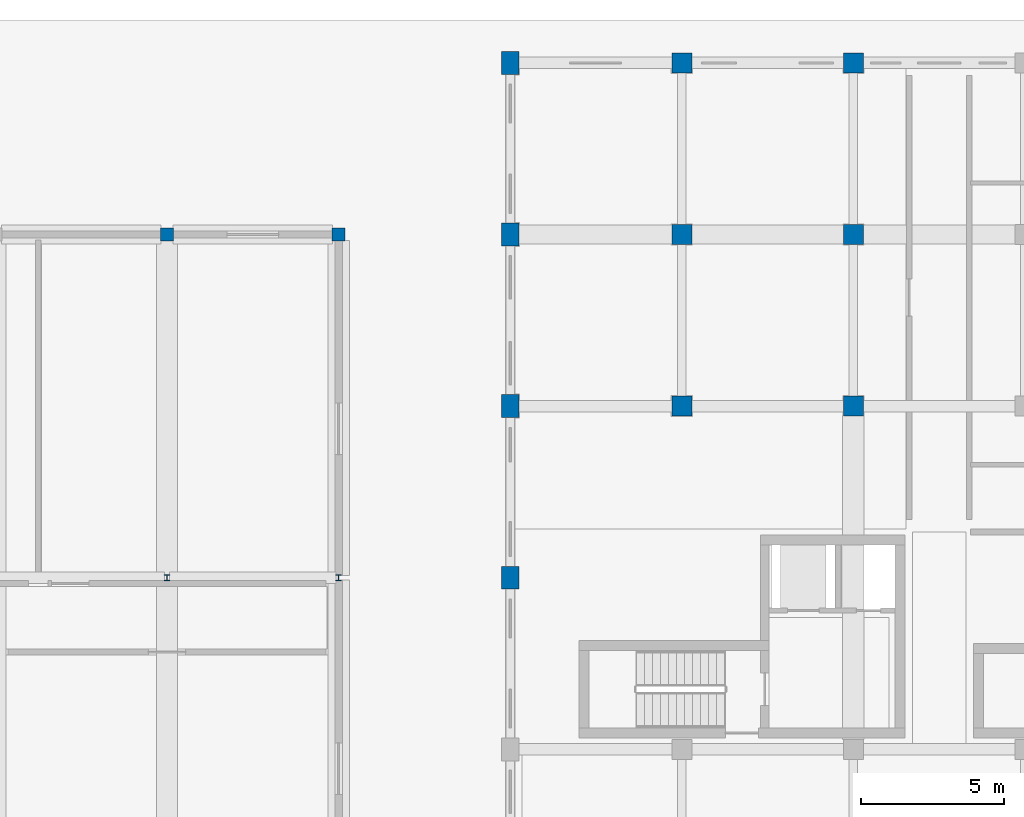
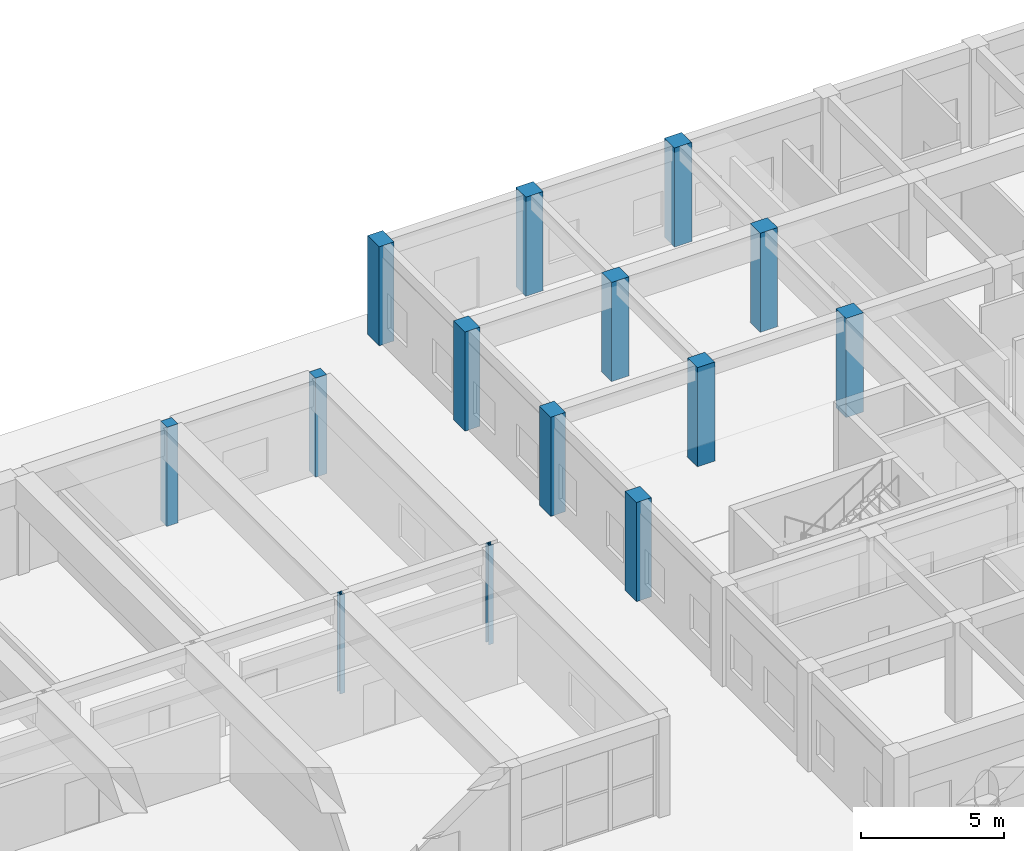
# One storey, part 7 of 76: 14 columns.
"""IFC4 building model written with IfcOpenShell, lengths in metres."""

import ifcopenshell
import ifcopenshell.guid

model = None  # the IFC model being written
_history = None  # IfcOwnerHistory: only IFC2X3 demands one
_inside = {}  # id of a spatial element -> (the spatial element, [elements in it])
_under = {}  # id of a project, library or spatial element -> (it, [spatial elements below it])
_declared = {}  # id of a project -> (the project, [libraries it declares])
_typed = {}  # id of a type object -> (the type object, [elements of that type])
_made_of = {}  # id of a material, layer set ... -> (it, [elements and type objects made of it])


def new_model(schema):
    """Start an empty IFC model of exactly this schema.

    Asked for "IFC4X3", IfcOpenShell would pick the latest addendum, in which some entities
    have other attributes; the version numbers below select the first issue.
    IFC2X3 requires an IfcOwnerHistory on every rooted entity: one is made here for all.
    """
    global model, _history
    if schema == "IFC4X3":
        model = ifcopenshell.file(schema_version=(4, 3, 0, 0))
    else:
        model = ifcopenshell.file(schema=schema)
    _inside.clear()
    _under.clear()
    _declared.clear()
    _typed.clear()
    _made_of.clear()
    _history = None
    if model.schema == "IFC2X3":
        org = make("IfcOrganization", Name="unknown")
        user = make(
            "IfcPersonAndOrganization",
            ThePerson=make("IfcPerson", FamilyName="unknown"),
            TheOrganization=org,
        )
        app = make(
            "IfcApplication",
            ApplicationDeveloper=org,
            Version="unknown",
            ApplicationFullName="unknown",
            ApplicationIdentifier="unknown",
        )
        _history = make(
            "IfcOwnerHistory",
            OwningUser=user,
            OwningApplication=app,
            ChangeAction="ADDED",
            CreationDate=0,
        )
    return model


def make(cls, **values):
    """One entity of the class cls with the attributes given. An attribute that is None is left unset."""
    return model.create_entity(
        cls, **{name: value for name, value in values.items() if value is not None}
    )


def rooted(cls, **values):
    """An entity with a GlobalId (a new one), such as an element, a storey or a relation."""
    return make(cls, GlobalId=ifcopenshell.guid.new(), OwnerHistory=_history, **values)


def si_unit(unit_type, name, prefix=None):
    """IfcSIUnit, for example si_unit("LENGTHUNIT", "METRE", prefix="MILLI")."""
    return make("IfcSIUnit", UnitType=unit_type, Prefix=prefix, Name=name)


def assignment(units):
    """IfcUnitAssignment: the units of a project."""
    return None if units is None else make("IfcUnitAssignment", Units=units)


def point(xyz):
    """IfcCartesianPoint."""
    return None if xyz is None else make("IfcCartesianPoint", Coordinates=xyz)


def direction(xyz):
    """IfcDirection."""
    return None if xyz is None else make("IfcDirection", DirectionRatios=xyz)


def frame(location, z_axis=None, x_axis=None):
    """IfcAxis2Placement3D, a coordinate frame: its origin and axes. An axis left out is left unset."""
    return make(
        "IfcAxis2Placement3D",
        Location=point(location),
        Axis=direction(z_axis),
        RefDirection=direction(x_axis),
    )


def frame_2d(location, x_axis=None):
    """IfcAxis2Placement2D, a coordinate frame in the plane: its origin and x axis."""
    return make(
        "IfcAxis2Placement2D", Location=point(location), RefDirection=direction(x_axis)
    )


def origin():
    """The frame at (0, 0, 0) with its axes left unset."""
    return frame((0.0, 0.0, 0.0))


def origin_2d():
    """The frame at (0, 0) in the plane with its x axis left unset."""
    return frame_2d((0.0, 0.0))


def place(relative_to, where):
    """IfcLocalPlacement: puts the frame where relative to a parent placement (None: the world)."""
    return make(
        "IfcLocalPlacement", PlacementRelTo=relative_to, RelativePlacement=where
    )


def context(
    kind, dimensions, precision=None, world=None, true_north=None, identifier=None
):
    """IfcGeometricRepresentationContext, for example the 3D "Model" context."""
    return make(
        "IfcGeometricRepresentationContext",
        ContextIdentifier=identifier,
        ContextType=kind,
        CoordinateSpaceDimension=dimensions,
        Precision=precision,
        WorldCoordinateSystem=world,
        TrueNorth=true_north,
    )


def subcontext(parent, identifier, kind, view, scale=None):
    """IfcGeometricRepresentationSubContext, for example "Body" below "Model"."""
    return make(
        "IfcGeometricRepresentationSubContext",
        ContextIdentifier=identifier,
        ContextType=kind,
        ParentContext=parent,
        TargetScale=scale,
        TargetView=view,
    )


def project(units=None, contexts=None):
    """IfcProject with its units and contexts."""
    return rooted(
        "IfcProject",
        Name="project",
        RepresentationContexts=contexts,
        UnitsInContext=assignment(units),
    )


def spatial(cls, under=None, at=None, **own):
    """A site, building, storey or space (cls), placed at a placement, below another one or the project."""
    s = rooted(cls, ObjectPlacement=at, **own)
    if under is not None:
        _under.setdefault(under.id(), (under, []))[1].append(s)
    return s


def profile(cls, at=None, kind="AREA", **sizes):
    """A parametric profile (cls). Its sizes go by their IFC names, for example OverallWidth=200.0."""
    return make(cls, ProfileType=kind, Position=at, **sizes)


def rectangle(**sizes):
    """IfcRectangleProfileDef."""
    return profile("IfcRectangleProfileDef", **sizes)


def i_section(**sizes):
    """IfcIShapeProfileDef."""
    return profile("IfcIShapeProfileDef", **sizes)


def extrude(swept, where, along, depth):
    """IfcExtrudedAreaSolid: the profile swept, set in the frame where, extruded along a direction by depth."""
    return make(
        "IfcExtrudedAreaSolid",
        SweptArea=swept,
        Position=where,
        ExtrudedDirection=direction(along),
        Depth=depth,
    )


def shape(context_of_items, identifier, shape_type, items):
    """IfcShapeRepresentation: the items that make up one representation, for example the "Body"."""
    return make(
        "IfcShapeRepresentation",
        ContextOfItems=context_of_items,
        RepresentationIdentifier=identifier,
        RepresentationType=shape_type,
        Items=items,
    )


def material(Name=None, Category=None):
    """IfcMaterial."""
    return make("IfcMaterial", Name=Name, Category=Category)


def material_profile(
    of_material, cross_section, Name=None, Category=None, Priority=None
):
    """IfcMaterialProfile: a cross section and its material."""
    return make(
        "IfcMaterialProfile",
        Name=Name,
        Material=of_material,
        Profile=cross_section,
        Priority=Priority,
        Category=Category,
    )


def profile_set(profiles, Name=None, composite=None):
    """IfcMaterialProfileSet."""
    return make(
        "IfcMaterialProfileSet",
        Name=Name,
        MaterialProfiles=profiles,
        CompositeProfile=composite,
    )


def made_of(thing, what):
    """Note that an element or type object is made of a material, layer set ...; save() writes the relation."""
    if what is not None:
        _made_of.setdefault(what.id(), (what, []))[1].append(thing)
    return thing


def type_object(cls, material=None, **own):
    """A type object (cls), such as IfcWallType, which elements share."""
    return made_of(rooted(cls, **own), material)


def element(
    cls,
    number,
    at=None,
    inside=None,
    cuts=None,
    type_object=None,
    material=None,
    context=None,
    identifier="Body",
    shape_type=None,
    held_by="IfcProductDefinitionShape",
    body=None,
    shapes=None,
    **own,
):
    """One element of the class cls, such as IfcWall. Its Tag is "e" and its number.

    at: its placement. inside: the storey or other place that contains it. cuts: it is an
    opening in that element (IfcRelVoidsElement). A single representation is given by context,
    identifier, shape_type and body (its items); several are given by shapes. held_by: the class
    of the entity that holds the representations. save() writes the other relations.
    """
    e = rooted(cls, Tag="e%d" % number, ObjectPlacement=at, **own)
    if body is not None:
        shapes = [shape(context, identifier, shape_type, body)]
    if shapes is not None:
        e.Representation = make(held_by, Representations=shapes)
    if inside is not None:
        _inside.setdefault(inside.id(), (inside, []))[1].append(e)
    if cuts is not None:
        rooted(
            "IfcRelVoidsElement", RelatingBuildingElement=cuts, RelatedOpeningElement=e
        )
    if type_object is not None:
        _typed.setdefault(type_object.id(), (type_object, []))[1].append(e)
    return made_of(e, material)


def aggregate(whole, parts):
    """IfcRelAggregates: a whole, such as a stair, and the parts it consists of."""
    return rooted("IfcRelAggregates", RelatingObject=whole, RelatedObjects=parts)


def save(model, path):
    """Write the relations noted so far, then the file.

    IfcRelAggregates (storeys below a building ...), IfcRelContainedInSpatialStructure (elements
    in a storey), IfcRelDefinesByType, IfcRelAssociatesMaterial and IfcRelDeclares: one each for
    every whole, place, type object, material and project.
    """
    for whole, parts in _under.values():
        aggregate(whole, parts)
    for where, things in _inside.values():
        rooted(
            "IfcRelContainedInSpatialStructure",
            RelatedElements=things,
            RelatingStructure=where,
        )
    for kind, things in _typed.values():
        rooted("IfcRelDefinesByType", RelatedObjects=things, RelatingType=kind)
    for what, things in _made_of.values():
        rooted("IfcRelAssociatesMaterial", RelatedObjects=things, RelatingMaterial=what)
    for by, libraries in _declared.values():
        rooted("IfcRelDeclares", RelatingContext=by, RelatedDefinitions=libraries)
    model.write(path)


model = new_model("IFC4")

# Units and contexts
model_context = context("Model", 3, precision=1e-05, world=origin(), true_north=direction((0.0, 1.0)))
body_context = subcontext(model_context, "Body", "Model", "MODEL_VIEW")
ifc_project = project(units=[si_unit("LENGTHUNIT", "METRE"), si_unit("AREAUNIT", "SQUARE_METRE"), si_unit("VOLUMEUNIT", "CUBIC_METRE"), si_unit("PLANEANGLEUNIT", "RADIAN"), si_unit("MASSUNIT", "GRAM", prefix="KILO"), si_unit("POWERUNIT", "WATT"), si_unit("THERMODYNAMICTEMPERATUREUNIT", "KELVIN")], contexts=[model_context])

# Site, building, storey
site_placement = place(None, origin())
site = spatial("IfcSite", under=ifc_project, at=site_placement, CompositionType="ELEMENT")
building_placement = place(site_placement, origin())
building = spatial("IfcBuilding", under=site, at=building_placement, Name="Ruvembo Vaulted Housing Court", CompositionType="ELEMENT")
storey_placement = place(building_placement, origin())
storey = spatial("IfcBuildingStorey", under=building, at=storey_placement, Name="L00", CompositionType="ELEMENT", Elevation=0.0)

# Columns
ifc_material_1 = material(Name="Concrete C35/45", Category="concrete")
ifc_material_profile_1 = material_profile(ifc_material_1, rectangle(XDim=0.449951171875, YDim=0.449951171875, at=origin_2d()), Name="RC 450x450")
ifc_profile_set_1 = profile_set([ifc_material_profile_1], Name="Concrete C35/45")
column_type_1 = type_object("IfcColumnType", Name="COL-RC-450", PredefinedType="COLUMN", material=ifc_profile_set_1)
for number, where, z_axis, x_axis, name in (
    (1, (36.0, 108.0, 0.0), (0.0, 0.0, 1.0), (1.0, 0.0, 0.0), "L00 Column (36,108)"),
    (2, (42.0, 108.0, 0.0), (0.0, 0.0, 1.0), (1.0, 0.0, 0.0), "L00 Column (42,108)"),
):
    element("IfcColumn", number, at=place(storey_placement, frame(where, z_axis=z_axis, x_axis=x_axis)), inside=storey, type_object=column_type_1, Name=name, PredefinedType="COLUMN", context=body_context, shape_type="SweptSolid", body=[
        extrude(rectangle(XDim=0.449951171875, YDim=0.449951171875, at=origin_2d()), origin(), (0.0, 0.0, 1.0), 4.22998046875),
    ])
ifc_material_2 = material(Name="Concrete C40/50", Category="concrete")
ifc_material_profile_2 = material_profile(ifc_material_2, rectangle(XDim=0.60009765625, YDim=0.800048828125, at=origin_2d()), Name="RC 600x800")
ifc_profile_set_2 = profile_set([ifc_material_profile_2], Name="Concrete C40/50")
column_type_2 = type_object("IfcColumnType", Name="COL-RC-600x800", PredefinedType="COLUMN", material=ifc_profile_set_2)
for number, where, z_axis, x_axis, name in (
    (3, (48.0, 96.0, 0.0), (0.0, 0.0, 1.0), (1.0, 0.0, 0.0), "L00 Column (48,96)"),
    (4, (48.0, 102.0, 0.0), (0.0, 0.0, 1.0), (1.0, 0.0, 0.0), "L00 Column (48,102)"),
    (5, (48.0, 108.0, 0.0), (0.0, 0.0, 1.0), (1.0, 0.0, 0.0), "L00 Column (48,108)"),
    (6, (48.0, 114.0, 0.0), (0.0, 0.0, 1.0), (1.0, 0.0, 0.0), "L00 Column (48,114)"),
):
    element("IfcColumn", number, at=place(storey_placement, frame(where, z_axis=z_axis, x_axis=x_axis)), inside=storey, type_object=column_type_2, Name=name, PredefinedType="COLUMN", context=body_context, shape_type="SweptSolid", body=[
        extrude(rectangle(XDim=0.60009765625, YDim=0.800048828125, at=origin_2d()), origin(), (0.0, 0.0, 1.0), 4.22998046875),
    ])
ifc_material_profile_3 = material_profile(ifc_material_2, rectangle(XDim=0.699951171875, YDim=0.699951171875, at=origin_2d()), Name="RC 700x700")
ifc_profile_set_3 = profile_set([ifc_material_profile_3], Name="Concrete C40/50")
column_type_3 = type_object("IfcColumnType", Name="COL-RC-700", PredefinedType="COLUMN", material=ifc_profile_set_3)
for number, where, z_axis, x_axis, name in (
    (7, (54.0, 102.0, 0.0), (0.0, 0.0, 1.0), (1.0, 0.0, 0.0), "L00 Column (54,102)"),
    (8, (54.0, 108.0, 0.0), (0.0, 0.0, 1.0), (1.0, 0.0, 0.0), "L00 Column (54,108)"),
    (9, (54.0, 114.0, 0.0), (0.0, 0.0, 1.0), (1.0, 0.0, 0.0), "L00 Column (54,114)"),
    (10, (60.0, 102.0, 0.0), (0.0, 0.0, 1.0), (1.0, 0.0, 0.0), "L00 Column (60,102)"),
    (11, (60.0, 108.0, 0.0), (0.0, 0.0, 1.0), (1.0, 0.0, 0.0), "L00 Column (60,108)"),
    (12, (60.0, 114.0, 0.0), (0.0, 0.0, 1.0), (1.0, 0.0, 0.0), "L00 Column (60,114)"),
):
    element("IfcColumn", number, at=place(storey_placement, frame(where, z_axis=z_axis, x_axis=x_axis)), inside=storey, type_object=column_type_3, Name=name, PredefinedType="COLUMN", context=body_context, shape_type="SweptSolid", body=[
        extrude(rectangle(XDim=0.699951171875, YDim=0.699951171875, at=origin_2d()), origin(), (0.0, 0.0, 1.0), 4.22998046875),
    ])
ifc_material_3 = material(Name="Steel S355J2", Category="steel")
ifc_material_profile_4 = material_profile(ifc_material_3, i_section(OverallWidth=0.199951171875, OverallDepth=0.199951171875, WebThickness=0.009033203125, FlangeThickness=0.014892578125, FilletRadius=0.01806640625, at=origin_2d()), Name="HEB 200")
ifc_profile_set_4 = profile_set([ifc_material_profile_4], Name="Steel S355J2")
column_type_4 = type_object("IfcColumnType", Name="COL-ST-HEB200", PredefinedType="COLUMN", material=ifc_profile_set_4)
for number, where, z_axis, x_axis, name in (
    (13, (36.0, 96.0, 0.0), (0.0, 0.0, 1.0), (1.0, 0.0, 0.0), "L00 Column (36,96)"),
    (14, (42.0, 96.0, 0.0), (0.0, 0.0, 1.0), (1.0, 0.0, 0.0), "L00 Column (42,96)"),
):
    element("IfcColumn", number, at=place(storey_placement, frame(where, z_axis=z_axis, x_axis=x_axis)), inside=storey, type_object=column_type_4, Name=name, PredefinedType="COLUMN", context=body_context, shape_type="SweptSolid", body=[
        extrude(i_section(OverallWidth=0.199951171875, OverallDepth=0.199951171875, WebThickness=0.009033203125, FlangeThickness=0.014892578125, FilletRadius=0.01806640625, at=origin_2d()), origin(), (0.0, 0.0, 1.0), 4.22998046875),
    ])

save(model, "model.ifc")
